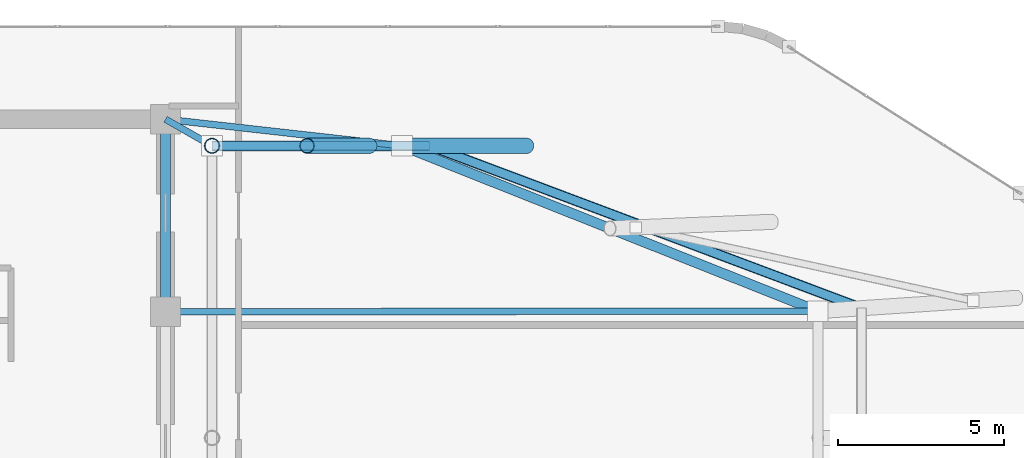
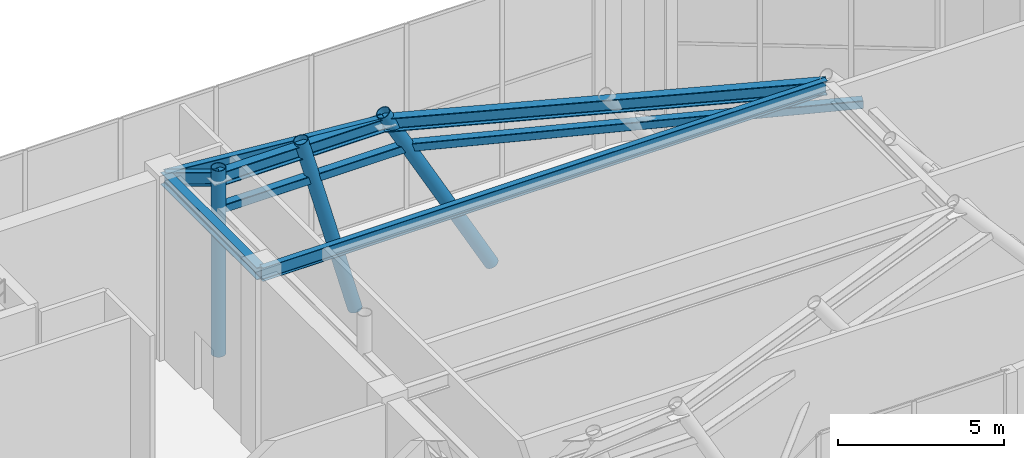
# One storey, part 14 of 24: 6 beams, 5 members.
"""IFC4 building model written with IfcOpenShell, lengths in metres."""

from ifc_helpers import new_model, si_unit, direction, frame, origin, origin_2d, place, context, subcontext, project, spatial, hollow_rectangle, hollow_circle, i_section, extrude, material, material_profile, profile_set, type_object, element, save


model = new_model("IFC4")

# Units and contexts
model_context = context("Model", 3, precision=1e-05, world=origin(), true_north=direction((0.0, 1.0)))
body_context = subcontext(model_context, "Body", "Model", "MODEL_VIEW")
ifc_project = project(units=[si_unit("LENGTHUNIT", "METRE"), si_unit("AREAUNIT", "SQUARE_METRE"), si_unit("VOLUMEUNIT", "CUBIC_METRE"), si_unit("PLANEANGLEUNIT", "RADIAN"), si_unit("MASSUNIT", "GRAM", prefix="KILO")], contexts=[model_context])

# Site, building, storey
site_placement = place(None, origin())
site = spatial("IfcSite", under=ifc_project, at=site_placement, CompositionType="ELEMENT")
building_placement = place(site_placement, origin())
building = spatial("IfcBuilding", under=site, at=building_placement, Name="An Khanh Terracotta Commons", CompositionType="ELEMENT")
storey_placement = place(building_placement, frame((0.0, 0.0, 315.199951171875)))
storey = spatial("IfcBuildingStorey", under=building, at=storey_placement, Name="L80 Crown Cooling Plant", CompositionType="ELEMENT", Elevation=315.199951171875)

# Beams
ifc_material_1 = material(Name="Steel S355J2", Category="steel")
ifc_material_profile_1 = material_profile(ifc_material_1, i_section(OverallWidth=0.300048828125, OverallDepth=0.449951171875, WebThickness=0.013916015625, FlangeThickness=0.02587890625, FilletRadius=0.027099609375, at=origin_2d()), Name="HEB450")
ifc_profile_set_1 = profile_set([ifc_material_profile_1], Name="Steel S355J2")
beam_type_1 = type_object("IfcBeamType", Name="BM-HEB450", PredefinedType="BEAM", material=ifc_profile_set_1)
beam_1_placement = place(storey_placement, frame((37.199951171875, 27.800048828125, 6.35498046875), z_axis=(0.0, 1.0, 0.0), x_axis=(-1.0, 0.0, 0.0)))
element("IfcBeam", 1, at=beam_1_placement, inside=storey, type_object=beam_type_1, Name="L80 Crown Cooling Plant Core East Coupling Girder 3", PredefinedType="BEAM", context=body_context, shape_type="SweptSolid", body=[
    extrude(i_section(OverallWidth=0.300048828125, OverallDepth=0.449951171875, WebThickness=0.013916015625, FlangeThickness=0.02587890625, FilletRadius=0.027099609375, at=origin_2d()), origin(), (0.0, 0.0, 1.0), 5.800048828125),
])
ifc_material_profile_2 = material_profile(ifc_material_1, i_section(OverallWidth=0.300048828125, OverallDepth=0.5, WebThickness=0.014404296875, FlangeThickness=0.028076171875, FilletRadius=0.027099609375, at=origin_2d()), Name="HEB500")
ifc_profile_set_2 = profile_set([ifc_material_profile_2], Name="Steel S355J2")
beam_type_2 = type_object("IfcBeamType", Name="BM-HEB500", PredefinedType="BEAM", material=ifc_profile_set_2)
beam_2_placement = place(storey_placement, frame((56.85009765625, 27.820068359375, 6.330078125), z_axis=(-0.929273843401, 0.369391559148, 0.0), x_axis=(-0.369391559148, -0.929273843401, 0.0)))
element("IfcBeam", 2, at=beam_2_placement, inside=storey, type_object=beam_type_2, Name="L80 Crown Cooling Plant CROWN FRAME Ring Beam 4", PredefinedType="BEAM", context=body_context, shape_type="SweptSolid", body=[
    extrude(i_section(OverallWidth=0.300048828125, OverallDepth=0.5, WebThickness=0.014404296875, FlangeThickness=0.028076171875, FilletRadius=0.027099609375, at=origin_2d()), origin(), (0.0, 0.0, 1.0), 13.481689453125),
])
beam_3_placement = place(storey_placement, frame((44.322021484375, 32.800048828125, 6.330078125), z_axis=(-1.0, 0.0, 0.0), x_axis=(0.0, -1.0, 0.0)))
element("IfcBeam", 3, at=beam_3_placement, inside=storey, type_object=beam_type_2, Name="L80 Crown Cooling Plant CROWN FRAME Ring Beam 5", PredefinedType="BEAM", context=body_context, shape_type="SweptSolid", body=[
    extrude(i_section(OverallWidth=0.300048828125, OverallDepth=0.5, WebThickness=0.014404296875, FlangeThickness=0.028076171875, FilletRadius=0.027099609375, at=origin_2d()), origin(), (0.0, 0.0, 1.0), 5.721923828125),
])
ifc_material_profile_3 = material_profile(ifc_material_1, i_section(OverallWidth=0.199951171875, OverallDepth=0.5, WebThickness=0.01025390625, FlangeThickness=0.01611328125, FilletRadius=0.02099609375, at=origin_2d()), Name="IPE500")
ifc_profile_set_3 = profile_set([ifc_material_profile_3], Name="Steel S355J2")
beam_type_3 = type_object("IfcBeamType", Name="BM-IPE500", PredefinedType="BEAM", material=ifc_profile_set_3)
beam_4_placement = place(storey_placement, frame((37.199951171875, 27.800048828125, 6.330078125), z_axis=(0.999999481026, 0.001018797538, 0.0), x_axis=(-0.001018797538, 0.999999481026, 0.0)))
element("IfcBeam", 4, at=beam_4_placement, inside=storey, type_object=beam_type_3, Name="L80 Crown Cooling Plant Crown Radial Tie Beam 4", PredefinedType="BEAM", context=body_context, shape_type="SweptSolid", body=[
    extrude(i_section(OverallWidth=0.199951171875, OverallDepth=0.5, WebThickness=0.01025390625, FlangeThickness=0.01611328125, FilletRadius=0.02099609375, at=origin_2d()), origin(), (0.0, 0.0, 1.0), 19.650146484375),
])
beam_5_placement = place(storey_placement, frame((37.199951171875, 33.60009765625, 6.330078125), z_axis=(0.993749657284, -0.111631620284, 0.0), x_axis=(0.111631620284, 0.993749657284, 0.0)))
element("IfcBeam", 5, at=beam_5_placement, inside=storey, type_object=beam_type_3, Name="L80 Crown Cooling Plant Crown Radial Tie Beam 5", PredefinedType="BEAM", context=body_context, shape_type="SweptSolid", body=[
    extrude(i_section(OverallWidth=0.199951171875, OverallDepth=0.5, WebThickness=0.01025390625, FlangeThickness=0.01611328125, FilletRadius=0.02099609375, at=origin_2d()), origin(), (0.0, 0.0, 1.0), 7.166748046875),
])
beam_6_placement = place(storey_placement, frame((37.199951171875, 33.60009765625, 6.330078125), z_axis=(0.86825245861, -0.496122634152, 0.0), x_axis=(0.496122634152, 0.86825245861, 0.0)))
element("IfcBeam", 6, at=beam_6_placement, inside=storey, type_object=beam_type_3, Name="L80 Crown Cooling Plant Crown Radial Tie Beam 6", PredefinedType="BEAM", context=body_context, shape_type="SweptSolid", body=[
    extrude(i_section(OverallWidth=0.199951171875, OverallDepth=0.5, WebThickness=0.01025390625, FlangeThickness=0.01611328125, FilletRadius=0.02099609375, at=origin_2d()), origin(), (0.0, 0.0, 1.0), 1.612548828125),
])

# Members
ifc_material_2 = material(Name="Steel S460ML", Category="steel")
ifc_material_profile_4 = material_profile(ifc_material_2, hollow_circle(Radius=0.228515625, WallThickness=0.02001953125, at=origin_2d()), Name="CHS457x20")
ifc_profile_set_4 = profile_set([ifc_material_profile_4], Name="Steel S460ML")
member_type_1 = type_object("IfcMemberType", Name="CROWN FRAME RIB CHS457", PredefinedType="STRUT", material=ifc_profile_set_4)
member_1_placement = place(storey_placement, frame((48.090087890625, 32.800048828125, -0.119873046875), z_axis=(-0.482523505978, 0.0, 0.87588302083), x_axis=(0.0, -1.0, 0.0)))
element("IfcMember", 7, at=member_1_placement, inside=storey, type_object=member_type_1, Name="L80 Crown Cooling Plant CROWN FRAME Corner Raking Rib 5", PredefinedType="STRUT", context=body_context, shape_type="SweptSolid", body=[
    extrude(hollow_circle(Radius=0.228515625, WallThickness=0.02001953125, at=origin_2d()), origin(), (0.0, 0.0, 1.0), 7.80908203125),
])
member_2_placement = place(storey_placement, frame((43.344970703125, 32.800048828125, -0.119873046875), z_axis=(-0.265559569422, 0.0, 0.964094453406), x_axis=(0.0, -1.0, 0.0)))
element("IfcMember", 8, at=member_2_placement, inside=storey, type_object=member_type_1, Name="L80 Crown Cooling Plant CROWN FRAME Facet Strut 5", PredefinedType="STRUT", context=body_context, shape_type="SweptSolid", body=[
    extrude(hollow_circle(Radius=0.228515625, WallThickness=0.02001953125, at=origin_2d()), origin(), (0.0, 0.0, 1.0), 7.094482421875),
])
member_3_placement = place(storey_placement, frame((38.60009765625, 32.800048828125, -0.119873046875), z_axis=(0.0, 0.0, 1.0), x_axis=(1.0, 0.0, 0.0)))
element("IfcMember", 9, at=member_3_placement, inside=storey, type_object=member_type_1, Name="L80 Crown Cooling Plant CROWN FRAME Corner Raking Rib 6", PredefinedType="STRUT", context=body_context, shape_type="SweptSolid", body=[
    extrude(hollow_circle(Radius=0.228515625, WallThickness=0.02001953125, at=origin_2d()), origin(), (0.0, 0.0, 1.0), 6.83984375),
])
ifc_material_profile_5 = material_profile(ifc_material_2, hollow_rectangle(XDim=0.300048828125, YDim=0.300048828125, WallThickness=0.01611328125, InnerFilletRadius=0.01611328125, OuterFilletRadius=0.031982421875, at=origin_2d()), Name="SHS300x300x16")
ifc_profile_set_5 = profile_set([ifc_material_profile_5], Name="Steel S460ML")
member_type_2 = type_object("IfcMemberType", Name="CROWN FRAME RING SHS300", PredefinedType="CHORD", material=ifc_profile_set_5)
member_4_placement = place(storey_placement, frame((58.169921875, 27.907958984375, 5.215087890625), z_axis=(-0.936093789729, 0.351750503668, 0.0), x_axis=(-0.351750503668, -0.936093789729, 0.0)))
element("IfcMember", 10, at=member_4_placement, inside=storey, type_object=member_type_2, Name="L80 Crown Cooling Plant CROWN FRAME Sill Ring Chord 4", PredefinedType="CHORD", context=body_context, shape_type="SweptSolid", body=[
    extrude(hollow_rectangle(XDim=0.300048828125, YDim=0.300048828125, WallThickness=0.01611328125, InnerFilletRadius=0.01611328125, OuterFilletRadius=0.031982421875, at=origin_2d()), origin(), (0.0, 0.0, 1.0), 13.907958984375),
])
member_5_placement = place(storey_placement, frame((45.15087890625, 32.800048828125, 5.215087890625), z_axis=(-1.0, 0.0, 0.0), x_axis=(0.0, -1.0, 0.0)))
element("IfcMember", 11, at=member_5_placement, inside=storey, type_object=member_type_2, Name="L80 Crown Cooling Plant CROWN FRAME Sill Ring Chord 5", PredefinedType="CHORD", context=body_context, shape_type="SweptSolid", body=[
    extrude(hollow_rectangle(XDim=0.300048828125, YDim=0.300048828125, WallThickness=0.01611328125, InnerFilletRadius=0.01611328125, OuterFilletRadius=0.031982421875, at=origin_2d()), origin(), (0.0, 0.0, 1.0), 6.55078125),
])

save(model, "model.ifc")
